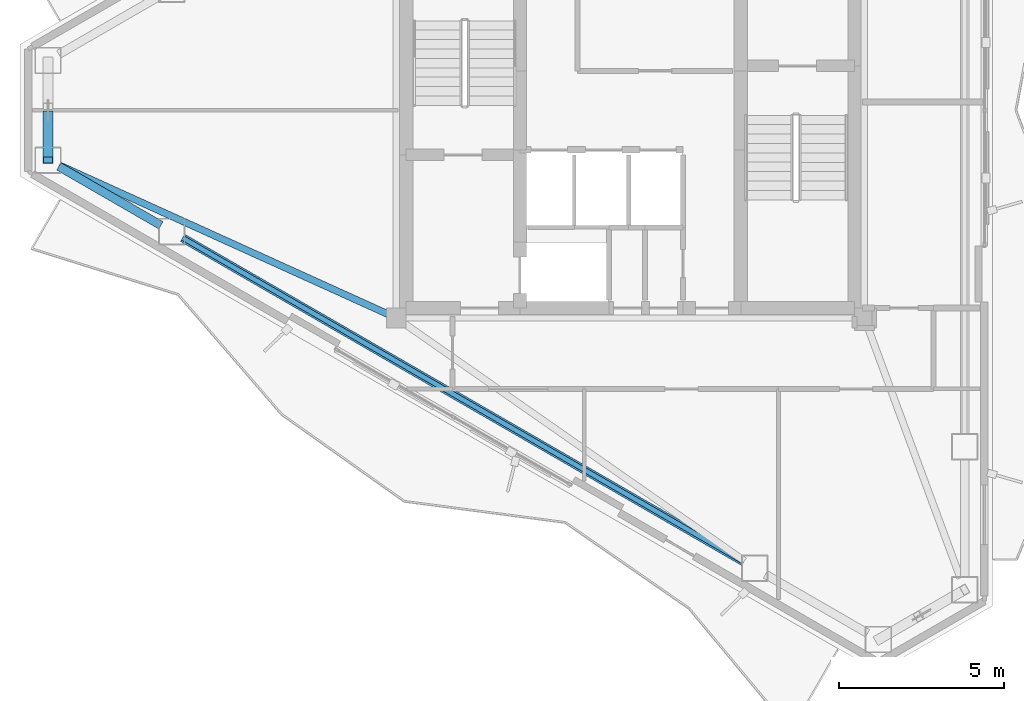
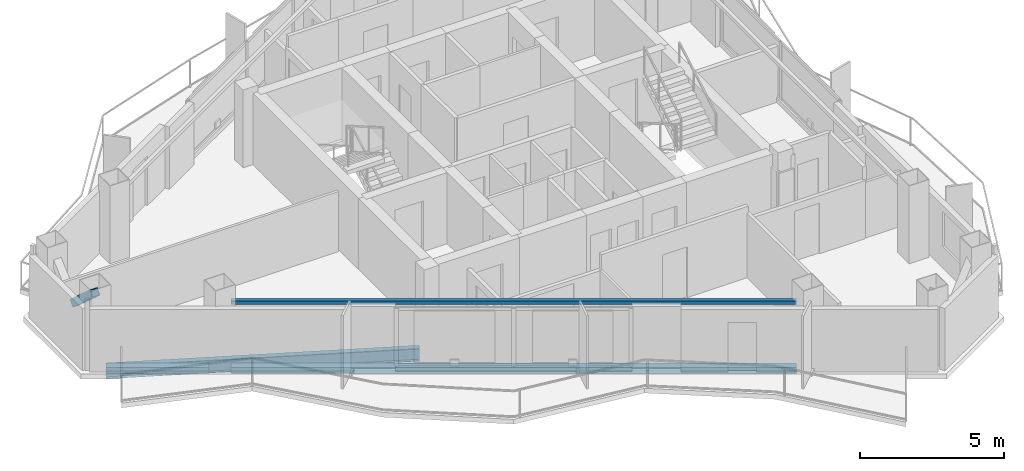
# One storey, part 3 of 18: 4 beams, 1 member.
"""IFC4 building model written with IfcOpenShell, lengths in metres."""

from ifc_helpers import new_model, si_unit, direction, frame, origin, origin_2d, place, context, subcontext, project, spatial, hollow_rectangle, i_section, extrude, material, material_profile, profile_set, type_object, element, save


model = new_model("IFC4")

# Units and contexts
model_context = context("Model", 3, precision=1e-05, world=origin(), true_north=direction((0.0, 1.0)))
body_context = subcontext(model_context, "Body", "Model", "MODEL_VIEW")
ifc_project = project(units=[si_unit("LENGTHUNIT", "METRE"), si_unit("AREAUNIT", "SQUARE_METRE"), si_unit("VOLUMEUNIT", "CUBIC_METRE"), si_unit("PLANEANGLEUNIT", "RADIAN"), si_unit("MASSUNIT", "GRAM", prefix="KILO")], contexts=[model_context])

# Site, building, storey
site_placement = place(None, origin())
site = spatial("IfcSite", under=ifc_project, at=site_placement, CompositionType="ELEMENT")
building_placement = place(site_placement, origin())
building = spatial("IfcBuilding", under=site, at=building_placement, Name="Mersakhor Tower and Convention Hall", CompositionType="ELEMENT")
storey_placement = place(building_placement, frame((0.0, 0.0, 246.300048828125)))
storey = spatial("IfcBuildingStorey", under=building, at=storey_placement, Name="L69", CompositionType="ELEMENT", Elevation=246.300048828125)

# Beams
ifc_material_1 = material(Name="Steel S355", Category="steel")
ifc_material_profile_1 = material_profile(ifc_material_1, i_section(OverallWidth=0.2099609375, OverallDepth=0.53662109375, WebThickness=0.0107421875, FlangeThickness=0.017333984375, at=origin_2d()), Name="UB 533x210x101")
ifc_profile_set_1 = profile_set([ifc_material_profile_1], Name="Steel S355")
beam_type_1 = type_object("IfcBeamType", Name="BM-FB-533", PredefinedType="BEAM", material=ifc_profile_set_1)
beam_1_placement = place(storey_placement, frame((21.64501953125, 20.565673828125, -0.48828125), z_axis=(-0.910860191929, 0.412715047895, 0.0), x_axis=(-0.412715047895, -0.910860191929, 0.0)))
element("IfcBeam", 1, at=beam_1_placement, inside=storey, type_object=beam_type_1, Name="L69 Primary Floor Girder FG-6", PredefinedType="BEAM", context=body_context, shape_type="SweptSolid", body=[
    extrude(i_section(OverallWidth=0.2099609375, OverallDepth=0.53662109375, WebThickness=0.0107421875, FlangeThickness=0.017333984375, at=origin_2d()), origin(), (0.0, 0.0, 1.0), 10.9423828125),
])
ifc_material_2 = material(Name="Steel S355", Category="steel")
ifc_material_profile_2 = material_profile(ifc_material_2, hollow_rectangle(XDim=0.14990234375, YDim=0.14990234375, WallThickness=0.010009765625, at=origin_2d()), Name="SHS 150x150x10")
ifc_profile_set_2 = profile_set([ifc_material_profile_2], Name="Steel S355")
beam_type_2 = type_object("IfcBeamType", Name="BM-GRT-SHS150", PredefinedType="USERDEFINED", material=ifc_profile_set_2)
beam_2_placement = place(storey_placement, frame((32.4423828125, 13.050537109375, 2.47998046875), z_axis=(-0.866021610626, 0.500006569886, 0.0), x_axis=(-0.500006569886, -0.866021610626, 0.0)))
element("IfcBeam", 2, at=beam_2_placement, inside=storey, type_object=beam_type_2, Name="L69 Facade Support Girt GRT-F3", ObjectType="GIRT", PredefinedType="USERDEFINED", context=body_context, shape_type="SweptSolid", body=[
    extrude(hollow_rectangle(XDim=0.14990234375, YDim=0.14990234375, WallThickness=0.010009765625, at=origin_2d()), origin(), (0.0, 0.0, 1.0), 19.661865234375),
])
ifc_material_3 = material(Name="Steel S355", Category="steel")
ifc_material_profile_3 = material_profile(ifc_material_3, i_section(OverallWidth=0.25634765625, OverallDepth=0.26025390625, WebThickness=0.01025390625, FlangeThickness=0.017333984375, at=origin_2d()), Name="UC 254x254x89")
ifc_profile_set_3 = profile_set([ifc_material_profile_3], Name="Steel S355")
beam_type_3 = type_object("IfcBeamType", Name="BM-SPD-UC254", PredefinedType="SPANDREL", material=ifc_profile_set_3)
beam_3_placement = place(storey_placement, frame((32.4423828125, 13.050537109375, -0.35009765625), z_axis=(-0.866021610626, 0.500006569886, 0.0), x_axis=(-0.500006569886, -0.866021610626, 0.0)))
element("IfcBeam", 3, at=beam_3_placement, inside=storey, type_object=beam_type_3, Name="L69 Perimeter Spandrel Beam SPB-10", PredefinedType="SPANDREL", context=body_context, shape_type="SweptSolid", body=[
    extrude(i_section(OverallWidth=0.25634765625, OverallDepth=0.26025390625, WebThickness=0.01025390625, FlangeThickness=0.017333984375, at=origin_2d()), origin(), (0.0, 0.0, 1.0), 19.661865234375),
])
beam_4_placement = place(storey_placement, frame((14.756591796875, 23.261474609375, -0.35009765625), z_axis=(-0.866032030752, 0.499988521579, 0.0), x_axis=(-0.499988521579, -0.866032030752, 0.0)))
element("IfcBeam", 4, at=beam_4_placement, inside=storey, type_object=beam_type_3, Name="L69 Perimeter Spandrel Beam SPB-11", PredefinedType="SPANDREL", context=body_context, shape_type="SweptSolid", body=[
    extrude(i_section(OverallWidth=0.25634765625, OverallDepth=0.26025390625, WebThickness=0.01025390625, FlangeThickness=0.017333984375, at=origin_2d()), origin(), (0.0, 0.0, 1.0), 3.57421875),
])

# Member
ifc_material_4 = material(Name="Steel S355", Category="steel")
ifc_material_profile_4 = material_profile(ifc_material_4, hollow_rectangle(XDim=0.300048828125, YDim=0.300048828125, WallThickness=0.01611328125, at=origin_2d()), Name="SHS 300x300x16")
ifc_profile_set_4 = profile_set([ifc_material_profile_4], Name="Steel S355")
member_type = type_object("IfcMemberType", Name="MB-BRC-SHS300", PredefinedType="BRACE", material=ifc_profile_set_4)
member_placement = place(storey_placement, frame((11.33203125, 26.6318359375, 1.6162109375), z_axis=(0.0, -0.743320055725, 0.668935942192), x_axis=(1.0, 0.0, 0.0)))
element("IfcMember", 5, at=member_placement, inside=storey, type_object=member_type, Name="L69 Chamfer Braced Frame Diagonal CB-3B Upper Half", PredefinedType="BRACE", context=body_context, shape_type="SweptSolid", body=[
    extrude(hollow_rectangle(XDim=0.300048828125, YDim=0.300048828125, WallThickness=0.01611328125, at=origin_2d()), origin(), (0.0, 0.0, 1.0), 1.8740234375),
])

save(model, "model.ifc")
